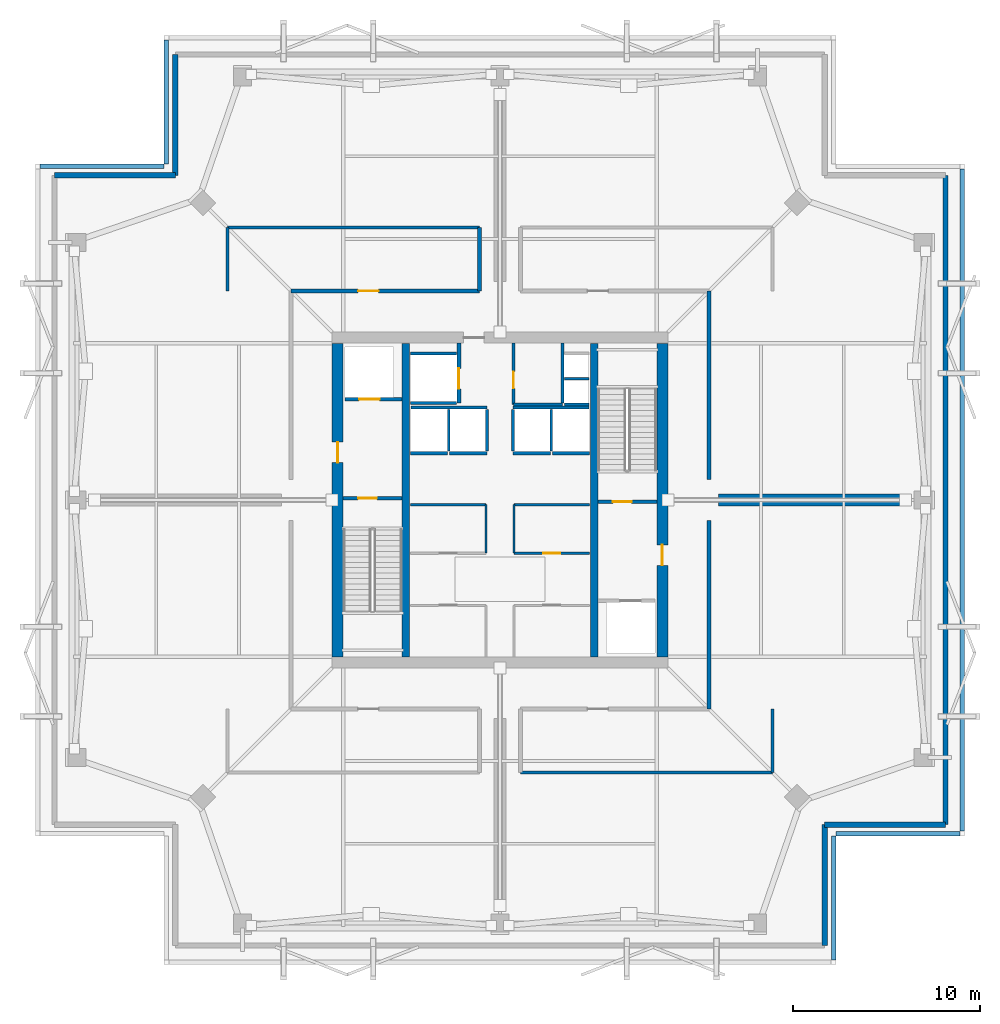
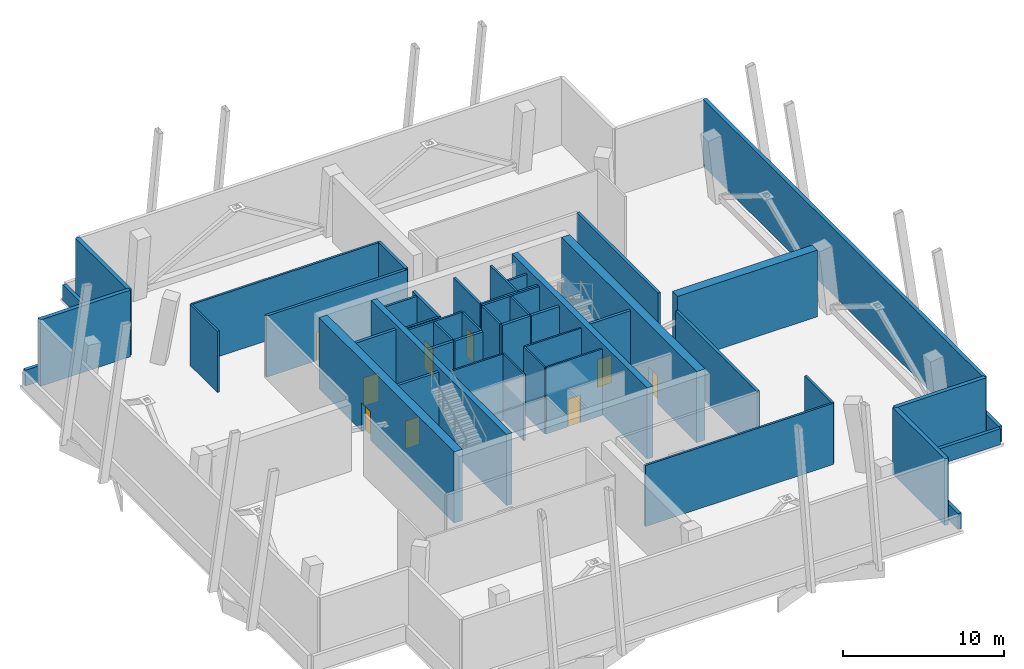
# One storey, part 4 of 6: 49 walls, 9 doors, 9 openings.
"""IFC4 building model written with IfcOpenShell, lengths in metres."""

from ifc_helpers import new_model, si_unit, direction, frame, frame_2d, origin, place, context, subcontext, project, spatial, rectangle, extrude, material, layer, layer_set, type_object, element, fill, save


model = new_model("IFC4")

# Units and contexts
model_context = context("Model", 3, precision=1e-05, world=origin(), true_north=direction((0.0, 1.0)))
body_context = subcontext(model_context, "Body", "Model", "MODEL_VIEW")
ifc_project = project(units=[si_unit("LENGTHUNIT", "METRE"), si_unit("AREAUNIT", "SQUARE_METRE"), si_unit("VOLUMEUNIT", "CUBIC_METRE"), si_unit("PLANEANGLEUNIT", "RADIAN"), si_unit("MASSUNIT", "GRAM", prefix="KILO")], contexts=[model_context])

# Site, building, storey
site_placement = place(None, origin())
site = spatial("IfcSite", under=ifc_project, at=site_placement, CompositionType="ELEMENT")
building_placement = place(site_placement, origin())
building = spatial("IfcBuilding", under=site, at=building_placement, Name="Belovzor Exchange Tower", CompositionType="ELEMENT")
storey_placement = place(building_placement, frame((0.0, 0.0, 284.10009765625)))
storey = spatial("IfcBuildingStorey", under=building, at=storey_placement, Name="L71", CompositionType="ELEMENT", Elevation=284.10009765625)

# Walls
ifc_material_1 = material(Name="Fire-Rated Plasterboard on Galvanised Studs", Category="gypsum")
ifc_layer_1 = layer(ifc_material_1, 0.1201171875)
ifc_layer_set_1 = layer_set([ifc_layer_1], Name="Fire-Rated Plasterboard on Galvanised Studs")
wall_type_1 = type_object("IfcWallType", Name="Fire-Rated Double-Stud Partition Wall 120", PredefinedType="PARTITIONING", material=ifc_layer_set_1)
wall_1_placement = place(storey_placement, frame((24.0, 28.550048828125, 0.0), z_axis=(0.0, 0.0, 1.0), x_axis=(1.0, 0.0, 0.0)))
element("IfcWall", 1, at=wall_1_placement, inside=storey, type_object=wall_type_1, Name="W-P120F Partition Wall W-CRM-L71-WN", PredefinedType="PARTITIONING", context=body_context, shape_type="SweptSolid", body=[
    extrude(rectangle(XDim=4.050048828125, YDim=0.1201171875, at=frame_2d((2.02490234375, 0.0))), origin(), (0.0, 0.0, 1.0), 5.0498046875),
])
wall_2_placement = place(storey_placement, frame((28.050048828125, 25.949951171875, 0.0), z_axis=(0.0, 0.0, 1.0), x_axis=(0.0, 1.0, 0.0)))
element("IfcWall", 2, at=wall_2_placement, inside=storey, type_object=wall_type_1, Name="W-P120F Partition Wall W-CRM-L71-WE", PredefinedType="PARTITIONING", context=body_context, shape_type="SweptSolid", body=[
    extrude(rectangle(XDim=2.60009765625, YDim=0.1201171875, at=frame_2d((1.300048828125, 0.0))), origin(), (0.0, 0.0, 1.0), 5.0498046875),
])

# Wall, opening, door
wall_3_placement = place(storey_placement, frame((29.550048828125, 25.949951171875, 0.0), z_axis=(0.0, 0.0, 1.0), x_axis=(1.0, 0.0, 0.0)))
wall_3 = element("IfcWall", 3, at=wall_3_placement, inside=storey, type_object=wall_type_1, Name="W-P120F Partition Wall W-CRM-L71-ES", PredefinedType="PARTITIONING", context=body_context, shape_type="SweptSolid", body=[
    extrude(rectangle(XDim=4.050048828125, YDim=0.1201171875, at=frame_2d((2.02490234375, 0.0))), origin(), (0.0, 0.0, 1.0), 5.0498046875),
])
opening_1_placement = place(wall_3_placement, frame((1.574951171875, 0.0, 0.0)))
opening_1 = element("IfcOpeningElement", 4, at=opening_1_placement, cuts=wall_3, Name="Opening D-FD60-090", PredefinedType="OPENING", context=body_context, shape_type="SweptSolid", body=[
    extrude(rectangle(XDim=0.89990234375, YDim=2.10009765625, at=frame_2d((0.449951171875, 1.050048828125))), frame((0.0, 0.070068359375, 0.0), z_axis=(0.0, -1.0, 0.0), x_axis=(1.0, 0.0, 0.0)), (0.0, 0.0, 1.0), 0.14013671875),
])
ifc_material_2 = material(Name="Acoustic Timber Fire Leaf", Category="wood")
door_type_1 = type_object("IfcDoorType", Name="Core Service & Restroom Fire Door 900x2100", OperationType="NOTDEFINED", PredefinedType="DOOR", material=ifc_material_2)
door_1_placement = place(opening_1_placement, origin())
door_1 = element("IfcDoor", 5, at=door_1_placement, inside=storey, type_object=door_type_1, Name="D-FD60-090 Core Service & Restroom Fire Door 900x2100", OperationType="SINGLE_SWING_RIGHT", OverallHeight=2.10009765625, OverallWidth=0.89990234375, PredefinedType="DOOR", context=body_context, shape_type="SweptSolid", body=[
    extrude(rectangle(XDim=0.89990234375, YDim=2.10009765625, at=frame_2d((0.449951171875, 1.050048828125))), frame((0.0, 0.02490234375, 0.0), z_axis=(0.0, -1.0, 0.0), x_axis=(1.0, 0.0, 0.0)), (0.0, 0.0, 1.0), 0.050048828125),
])
fill(opening_1, door_1)

# Walls
wall_4_placement = place(storey_placement, frame((29.550048828125, 28.550048828125, 0.0), z_axis=(0.0, 0.0, 1.0), x_axis=(1.0, 0.0, 0.0)))
element("IfcWall", 6, at=wall_4_placement, inside=storey, type_object=wall_type_1, Name="W-P120F Partition Wall W-CRM-L71-EN", PredefinedType="PARTITIONING", context=body_context, shape_type="SweptSolid", body=[
    extrude(rectangle(XDim=4.050048828125, YDim=0.1201171875, at=frame_2d((2.02490234375, 0.0))), origin(), (0.0, 0.0, 1.0), 5.0498046875),
])
wall_5_placement = place(storey_placement, frame((29.550048828125, 25.949951171875, 0.0), z_axis=(0.0, 0.0, 1.0), x_axis=(0.0, 1.0, 0.0)))
element("IfcWall", 7, at=wall_5_placement, inside=storey, type_object=wall_type_1, Name="W-P120F Partition Wall W-CRM-L71-EW", PredefinedType="PARTITIONING", context=body_context, shape_type="SweptSolid", body=[
    extrude(rectangle(XDim=2.60009765625, YDim=0.1201171875, at=frame_2d((1.300048828125, 0.0))), origin(), (0.0, 0.0, 1.0), 5.0498046875),
])

# Wall, opening, door
ifc_material_3 = material(Name="Fire-Rated Gypsum Block and Mineral Wool", Category="gypsum")
ifc_layer_2 = layer(ifc_material_3, 0.14990234375)
ifc_layer_set_2 = layer_set([ifc_layer_2], Name="Fire-Rated Gypsum Block and Mineral Wool")
wall_type_2 = type_object("IfcWallType", Name="Fire-Rated Gypsum Block Corridor Wall 150", PredefinedType="PARTITIONING", material=ifc_layer_set_2)
wall_6_placement = place(storey_placement, frame((29.52490234375, 33.925048828125, 0.0), z_axis=(0.0, 0.0, 1.0), x_axis=(0.0, 1.0, 0.0)))
wall_6 = element("IfcWall", 8, at=wall_6_placement, inside=storey, type_object=wall_type_2, Name="W-P150 Partition Wall W-CRV-L71-W", PredefinedType="PARTITIONING", context=body_context, shape_type="SweptSolid", body=[
    extrude(rectangle(XDim=3.27490234375, YDim=0.14990234375, at=frame_2d((1.637451171875, 0.0))), origin(), (0.0, 0.0, 1.0), 5.0498046875),
])
opening_2_placement = place(wall_6_placement, frame((0.85009765625, 0.0, 0.0)))
opening_2 = element("IfcOpeningElement", 9, at=opening_2_placement, cuts=wall_6, Name="Opening D-FD60-090", PredefinedType="OPENING", context=body_context, shape_type="SweptSolid", body=[
    extrude(rectangle(XDim=0.89990234375, YDim=2.10009765625, at=frame_2d((0.449951171875, 1.050048828125))), frame((0.0, 0.0849609375, 0.0), z_axis=(0.0, -1.0, 0.0), x_axis=(1.0, 0.0, 0.0)), (0.0, 0.0, 1.0), 0.169921875),
])
door_2_placement = place(opening_2_placement, origin())
door_2 = element("IfcDoor", 10, at=door_2_placement, inside=storey, type_object=door_type_1, Name="D-FD60-090 Core Service & Restroom Fire Door 900x2100", OperationType="SINGLE_SWING_LEFT", OverallHeight=2.10009765625, OverallWidth=0.89990234375, PredefinedType="DOOR", context=body_context, shape_type="SweptSolid", body=[
    extrude(rectangle(XDim=0.89990234375, YDim=2.10009765625, at=frame_2d((0.449951171875, 1.050048828125))), frame((0.0, 0.02490234375, 0.0), z_axis=(0.0, -1.0, 0.0), x_axis=(1.0, 0.0, 0.0)), (0.0, 0.0, 1.0), 0.050048828125),
])
fill(opening_2, door_2)

# Walls
wall_7_placement = place(storey_placement, frame((29.52490234375, 33.925048828125, 0.0), z_axis=(0.0, 0.0, 1.0), x_axis=(1.0, 0.0, 0.0)))
element("IfcWall", 11, at=wall_7_placement, inside=storey, type_object=wall_type_2, Name="W-P150 Partition Wall W-CRV-L71-S", PredefinedType="PARTITIONING", context=body_context, shape_type="SweptSolid", body=[
    extrude(rectangle(XDim=2.625, YDim=0.14990234375, at=frame_2d((1.3125, 0.0))), origin(), (0.0, 0.0, 1.0), 5.0498046875),
])
wall_8_placement = place(storey_placement, frame((29.89990234375, 14.199951171875, 0.0), z_axis=(0.0, 0.0, 1.0), x_axis=(1.0, 0.0, 0.0)))
element("IfcWall", 12, at=wall_8_placement, inside=storey, type_object=wall_type_2, Name="W-P150 Partition Wall W-L71-Q2S", PredefinedType="PARTITIONING", context=body_context, shape_type="SweptSolid", body=[
    extrude(rectangle(XDim=13.5, YDim=0.14990234375, at=frame_2d((6.75, 0.0))), origin(), (0.0, 0.0, 1.0), 4.635009765625),
])
wall_9_placement = place(storey_placement, frame((43.39990234375, 14.199951171875, 0.0), z_axis=(0.0, 0.0, 1.0), x_axis=(0.0, 1.0, 0.0)))
element("IfcWall", 13, at=wall_9_placement, inside=storey, type_object=wall_type_2, Name="W-P150 Partition Wall W-L71-Q2E", PredefinedType="PARTITIONING", context=body_context, shape_type="SweptSolid", body=[
    extrude(rectangle(XDim=3.400146484375, YDim=0.14990234375, at=frame_2d((1.7001953125, 0.0))), origin(), (0.0, 0.0, 1.0), 4.635009765625),
])
wall_10_placement = place(storey_placement, frame((14.199951171875, 40.0, 0.0), z_axis=(0.0, 0.0, 1.0), x_axis=(0.0, 1.0, 0.0)))
element("IfcWall", 14, at=wall_10_placement, inside=storey, type_object=wall_type_2, Name="W-P150 Partition Wall W-L71-Q3W", PredefinedType="PARTITIONING", context=body_context, shape_type="SweptSolid", body=[
    extrude(rectangle(XDim=3.39990234375, YDim=0.14990234375, at=frame_2d((1.699951171875, 0.0))), origin(), (0.0, 0.0, 1.0), 4.635009765625),
])
wall_11_placement = place(storey_placement, frame((14.199951171875, 43.39990234375, 0.0), z_axis=(0.0, 0.0, 1.0), x_axis=(1.0, 0.0, 0.0)))
element("IfcWall", 15, at=wall_11_placement, inside=storey, type_object=wall_type_2, Name="W-P150 Partition Wall W-L71-Q3N", PredefinedType="PARTITIONING", context=body_context, shape_type="SweptSolid", body=[
    extrude(rectangle(XDim=13.5, YDim=0.14990234375, at=frame_2d((6.75, 0.0))), origin(), (0.0, 0.0, 1.0), 4.635009765625),
])
ifc_material_4 = material(Name="Precast concrete C40/50", Category="concrete")
ifc_layer_3 = layer(ifc_material_4, 0.280029296875)
ifc_layer_set_3 = layer_set([ifc_layer_3], Name="Precast concrete C40/50")
wall_type_3 = type_object("IfcWallType", Name="Precast Concrete Notched Corner Frame Wall 280", PredefinedType="SOLIDWALL", material=ifc_layer_set_3)
for number, where, z_axis, x_axis, name in (
    (16, (4.929931640625, 46.199951171875, 0.0), (0.0, 0.0, 1.0), (1.0, 0.0, 0.0), "W-CRN280 Precast Concrete Notched Corner Frame Wall 280 L71"),
    (17, (11.39990234375, 46.199951171875, 0.0), (0.0, 0.0, 1.0), (0.0, 1.0, 0.0), "W-CRN280 Precast Concrete Notched Corner Frame Wall 280 L71"),
    (18, (52.669921875, 11.39990234375, 0.0), (0.0, 0.0, 1.0), (-1.0, 0.0, 0.0), "W-CRN280 Precast Concrete Notched Corner Frame Wall 280 L71"),
    (19, (46.199951171875, 11.39990234375, 0.0), (0.0, 0.0, 1.0), (0.0, -1.0, 0.0), "W-CRN280 Precast Concrete Notched Corner Frame Wall 280 L71"),
):
    element("IfcWall", number, at=place(storey_placement, frame(where, z_axis=z_axis, x_axis=x_axis)), inside=storey, type_object=wall_type_3, Name=name, PredefinedType="SOLIDWALL", context=body_context, shape_type="SweptSolid", body=[
        extrude(rectangle(XDim=6.469970703125, YDim=0.280029296875, at=frame_2d((3.23486328125, 0.0))), origin(), (0.0, 0.0, 1.0), 5.0498046875),
    ])
ifc_material_5 = material(Name="Precast concrete C40/50", Category="concrete")
ifc_layer_4 = layer(ifc_material_5, 0.260009765625)
ifc_layer_set_4 = layer_set([ifc_layer_4], Name="Precast concrete C40/50")
wall_type_4 = type_object("IfcWallType", Name="Precast Concrete Perimeter Loggia Frame Wall 260", PredefinedType="SOLIDWALL", material=ifc_layer_set_4)
wall_12_placement = place(storey_placement, frame((52.669921875, 46.199951171875, 0.0), z_axis=(0.0, 0.0, 1.0), x_axis=(0.0, -1.0, 0.0)))
element("IfcWall", 20, at=wall_12_placement, inside=storey, type_object=wall_type_4, Name="W-EXT260 Precast Concrete Perimeter Loggia Frame Wall 260 L71", PredefinedType="SOLIDWALL", context=body_context, shape_type="SweptSolid", body=[
    extrude(rectangle(XDim=34.800048828125, YDim=0.260009765625, at=frame_2d((17.39990234375, 0.0))), origin(), (0.0, 0.0, 1.0), 5.0498046875),
])
ifc_material_6 = material(Name="Precast concrete C40/50", Category="concrete")
ifc_layer_5 = layer(ifc_material_6, 0.239990234375)
ifc_layer_set_5 = layer_set([ifc_layer_5], Name="Precast concrete C40/50")
wall_type_5 = type_object("IfcWallType", Name="Precast Stone Setback Roof Parapet Wall 240", PredefinedType="PARAPET", material=ifc_layer_set_5)
wall_13_placement = place(storey_placement, frame((46.679931640625, 4.155029296875, 0.0), z_axis=(0.0, 0.0, 1.0), x_axis=(0.0, 1.0, 0.0)))
element("IfcWall", 21, at=wall_13_placement, inside=storey, type_object=wall_type_5, Name="W-PAR240 Precast Stone Setback Roof Parapet Wall 240 L71", PredefinedType="PARAPET", context=body_context, shape_type="SweptSolid", body=[
    extrude(rectangle(XDim=6.6298828125, YDim=0.239990234375, at=frame_2d((3.31494140625, 0.0))), origin(), (0.0, 0.0, 1.0), 1.199951171875),
])
wall_14_placement = place(storey_placement, frame((46.81494140625, 10.919921875, 0.0), z_axis=(0.0, 0.0, 1.0), x_axis=(1.0, 0.0, 0.0)))
element("IfcWall", 22, at=wall_14_placement, inside=storey, type_object=wall_type_5, Name="W-PAR240 Precast Stone Setback Roof Parapet Wall 240 L71", PredefinedType="PARAPET", context=body_context, shape_type="SweptSolid", body=[
    extrude(rectangle(XDim=6.630126953125, YDim=0.239990234375, at=frame_2d((3.31494140625, 0.0))), origin(), (0.0, 0.0, 1.0), 1.199951171875),
])
wall_15_placement = place(storey_placement, frame((53.580078125, 11.054931640625, 0.0), z_axis=(0.0, 0.0, 1.0), x_axis=(0.0, 1.0, 0.0)))
element("IfcWall", 23, at=wall_15_placement, inside=storey, type_object=wall_type_5, Name="W-PAR240 Precast Stone Setback Roof Parapet Wall 240 L71", PredefinedType="PARAPET", context=body_context, shape_type="SweptSolid", body=[
    extrude(rectangle(XDim=35.489990234375, YDim=0.239990234375, at=frame_2d((17.7451171875, 0.0))), origin(), (0.0, 0.0, 1.0), 1.199951171875),
])
wall_16_placement = place(storey_placement, frame((10.919921875, 53.445068359375, 0.0), z_axis=(0.0, 0.0, 1.0), x_axis=(0.0, -1.0, 0.0)))
element("IfcWall", 24, at=wall_16_placement, inside=storey, type_object=wall_type_5, Name="W-PAR240 Precast Stone Setback Roof Parapet Wall 240 L71", PredefinedType="PARAPET", context=body_context, shape_type="SweptSolid", body=[
    extrude(rectangle(XDim=6.630126953125, YDim=0.239990234375, at=frame_2d((3.31494140625, 0.0))), origin(), (0.0, 0.0, 1.0), 1.199951171875),
])
wall_17_placement = place(storey_placement, frame((10.784912109375, 46.679931640625, 0.0), z_axis=(0.0, 0.0, 1.0), x_axis=(-1.0, 0.0, 0.0)))
element("IfcWall", 25, at=wall_17_placement, inside=storey, type_object=wall_type_5, Name="W-PAR240 Precast Stone Setback Roof Parapet Wall 240 L71", PredefinedType="PARAPET", context=body_context, shape_type="SweptSolid", body=[
    extrude(rectangle(XDim=6.6298828125, YDim=0.239990234375, at=frame_2d((3.31494140625, 0.0))), origin(), (0.0, 0.0, 1.0), 1.199951171875),
])

# Wall, opening, door
ifc_material_7 = material(Name="Concrete C40/50", Category="concrete")
ifc_layer_6 = layer(ifc_material_7, 0.199951171875)
ifc_layer_set_6 = layer_set([ifc_layer_6], Name="Concrete C40/50")
wall_type_6 = type_object("IfcWallType", Name="Reinforced Concrete Compartment Wall 200", PredefinedType="PARTITIONING", material=ifc_layer_set_6)
wall_18_placement = place(storey_placement, frame((17.60009765625, 40.0, 0.0), z_axis=(0.0, 0.0, 1.0), x_axis=(1.0, 0.0, 0.0)))
wall_18 = element("IfcWall", 26, at=wall_18_placement, inside=storey, type_object=wall_type_6, Name="W-C200 Partition Wall W-L71-PCN", PredefinedType="PARTITIONING", context=body_context, shape_type="SweptSolid", body=[
    extrude(rectangle(XDim=10.099853515625, YDim=0.199951171875, at=frame_2d((5.0498046875, 0.0))), origin(), (0.0, 0.0, 1.0), 4.635009765625),
])
opening_3_placement = place(wall_18_placement, frame((3.60009765625, 0.0, 0.0)))
opening_3 = element("IfcOpeningElement", 27, at=opening_3_placement, cuts=wall_18, Name="Opening D-FD90-110", PredefinedType="OPENING", context=body_context, shape_type="SweptSolid", body=[
    extrude(rectangle(XDim=1.10009765625, YDim=2.14990234375, at=frame_2d((0.550048828125, 1.074951171875))), frame((0.0, 0.10986328125, 0.0), z_axis=(0.0, -1.0, 0.0), x_axis=(1.0, 0.0, 0.0)), (0.0, 0.0, 1.0), 0.219970703125),
])
ifc_material_8 = material(Name="Fire-Rated Galvanised Steel Leaf", Category="steel")
door_type_2 = type_object("IfcDoorType", Name="Protected Escape Vestibule Fire Door 1100x2150", OperationType="NOTDEFINED", PredefinedType="DOOR", material=ifc_material_8)
door_3_placement = place(opening_3_placement, origin())
door_3 = element("IfcDoor", 28, at=door_3_placement, inside=storey, type_object=door_type_2, Name="D-FD90-110 Protected Escape Vestibule Fire Door 1100x2150", OperationType="SINGLE_SWING_LEFT", OverallHeight=2.14990234375, OverallWidth=1.10009765625, PredefinedType="DOOR", context=body_context, shape_type="SweptSolid", body=[
    extrude(rectangle(XDim=1.10009765625, YDim=2.14990234375, at=frame_2d((0.550048828125, 1.074951171875))), frame((0.0, 0.02490234375, 0.0), z_axis=(0.0, -1.0, 0.0), x_axis=(1.0, 0.0, 0.0)), (0.0, 0.0, 1.0), 0.050048828125),
])
fill(opening_3, door_3)

# Walls
wall_19_placement = place(storey_placement, frame((40.0, 17.60009765625, 0.0), z_axis=(0.0, 0.0, 1.0), x_axis=(0.0, 1.0, 0.0)))
element("IfcWall", 29, at=wall_19_placement, inside=storey, type_object=wall_type_6, Name="W-C200 Partition Wall W-L71-PCE1", PredefinedType="PARTITIONING", context=body_context, shape_type="SweptSolid", body=[
    extrude(rectangle(XDim=10.099853515625, YDim=0.199951171875, at=frame_2d((5.0498046875, 0.0))), origin(), (0.0, 0.0, 1.0), 4.635009765625),
])
wall_20_placement = place(storey_placement, frame((40.0, 29.89990234375, 0.0), z_axis=(0.0, 0.0, 1.0), x_axis=(0.0, 1.0, 0.0)))
element("IfcWall", 30, at=wall_20_placement, inside=storey, type_object=wall_type_6, Name="W-C200 Partition Wall W-L71-PCE2", PredefinedType="PARTITIONING", context=body_context, shape_type="SweptSolid", body=[
    extrude(rectangle(XDim=10.10009765625, YDim=0.199951171875, at=frame_2d((5.050048828125, 0.0))), origin(), (0.0, 0.0, 1.0), 4.635009765625),
])
wall_21_placement = place(storey_placement, frame((27.699951171875, 40.0, 0.0), z_axis=(0.0, 0.0, 1.0), x_axis=(0.0, 1.0, 0.0)))
element("IfcWall", 31, at=wall_21_placement, inside=storey, type_object=wall_type_6, Name="W-C200 Partition Wall W-L71-Q3E", PredefinedType="PARTITIONING", context=body_context, shape_type="SweptSolid", body=[
    extrude(rectangle(XDim=3.39990234375, YDim=0.199951171875, at=frame_2d((1.699951171875, 0.0))), origin(), (0.0, 0.0, 1.0), 4.6748046875),
])
ifc_material_9 = material(Name="Concrete C50/60", Category="concrete")
ifc_layer_7 = layer(ifc_material_9, 0.39990234375)
ifc_layer_set_7 = layer_set([ifc_layer_7], Name="Concrete C50/60")
wall_type_7 = type_object("IfcWallType", Name="Reinforced Concrete Core Internal Web Wall 400", PredefinedType="SHEAR", material=ifc_layer_set_7)
for number, where, z_axis, x_axis, name in (
    (32, (23.75, 20.39990234375, 0.0), (0.0, 0.0, 1.0), (0.0, 1.0, 0.0), "CW-W040 Core Internal Web Wall L71 WL"),
    (33, (33.85009765625, 20.39990234375, 0.0), (0.0, 0.0, 1.0), (0.0, 1.0, 0.0), "CW-W040 Core Internal Web Wall L71 ER"),
):
    element("IfcWall", number, at=place(storey_placement, frame(where, z_axis=z_axis, x_axis=x_axis)), inside=storey, type_object=wall_type_7, Name=name, PredefinedType="SHEAR", context=body_context, shape_type="SweptSolid", body=[
        extrude(rectangle(XDim=16.800048828125, YDim=0.39990234375, at=frame_2d((8.39990234375, 0.0))), origin(), (0.0, 0.0, 1.0), 5.39990234375),
    ])
ifc_material_10 = material(Name="Concrete C50/60", Category="concrete")
ifc_layer_8 = layer(ifc_material_10, 0.14990234375)
ifc_layer_set_8 = layer_set([ifc_layer_8], Name="Concrete C50/60")
wall_type_8 = type_object("IfcWallType", Name="Reinforced Concrete Core Riser Shear Wall 150", PredefinedType="SHEAR", material=ifc_layer_set_8)
wall_22_placement = place(storey_placement, frame((32.14990234375, 34.0, 0.0), z_axis=(0.0, 0.0, 1.0), x_axis=(0.0, 1.0, 0.0)))
element("IfcWall", 34, at=wall_22_placement, inside=storey, type_object=wall_type_8, Name="W-C150S Core Shaft Wall W-RSR-L71-E", PredefinedType="SHEAR", context=body_context, shape_type="SweptSolid", body=[
    extrude(rectangle(XDim=3.199951171875, YDim=0.14990234375, at=frame_2d((1.60009765625, 0.0))), origin(), (0.0, 0.0, 1.0), 5.0498046875),
])
for number, where, z_axis, x_axis, name in (
    (35, (32.25, 33.925048828125, 0.0), (0.0, 0.0, 1.0), (1.0, 0.0, 0.0), "W-C150S Core Shaft Wall W-RSR-L71-S"),
    (36, (32.25, 35.300048828125, 0.0), (0.0, 0.0, 1.0), (1.0, 0.0, 0.0), "W-C150S Core Shaft Wall W-RSR-L71-M"),
):
    element("IfcWall", number, at=place(storey_placement, frame(where, z_axis=z_axis, x_axis=x_axis)), inside=storey, type_object=wall_type_8, Name=name, PredefinedType="SHEAR", context=body_context, shape_type="SweptSolid", body=[
        extrude(rectangle(XDim=1.330078125, YDim=0.14990234375, at=frame_2d((0.6650390625, 0.0))), origin(), (0.0, 0.0, 1.0), 5.0498046875),
    ])
for number, where, z_axis, x_axis, name in (
    (37, (24.0, 34.0, 0.0), (0.0, 0.0, 1.0), (1.0, 0.0, 0.0), "W-C150S Core Shaft Wall W-SH-L71-SL-01S"),
    (38, (24.0, 36.64990234375, 0.0), (0.0, 0.0, 1.0), (1.0, 0.0, 0.0), "W-C150S Core Shaft Wall W-SH-L71-SL-01N"),
):
    element("IfcWall", number, at=place(storey_placement, frame(where, z_axis=z_axis, x_axis=x_axis)), inside=storey, type_object=wall_type_8, Name=name, PredefinedType="SHEAR", context=body_context, shape_type="SweptSolid", body=[
        extrude(rectangle(XDim=2.47998046875, YDim=0.14990234375, at=frame_2d((1.239990234375, 0.0))), origin(), (0.0, 0.0, 1.0), 5.0498046875),
    ])
for number, where, z_axis, x_axis, name in (
    (39, (24.02001953125, 33.760009765625, 0.0), (0.0, 0.0, 1.0), (1.0, 0.0, 0.0), "W-C150S Core Shaft Wall W-SHB-L71-PLH-NW"),
    (40, (29.5, 33.760009765625, 0.0), (0.0, 0.0, 1.0), (1.0, 0.0, 0.0), "W-C150S Core Shaft Wall W-SHB-L71-PLH-NE"),
):
    element("IfcWall", number, at=place(storey_placement, frame(where, z_axis=z_axis, x_axis=x_axis)), inside=storey, type_object=wall_type_8, Name=name, PredefinedType="SHEAR", context=body_context, shape_type="SweptSolid", body=[
        extrude(rectangle(XDim=4.080078125, YDim=0.14990234375, at=frame_2d((2.0400390625, 0.0))), origin(), (0.0, 0.0, 1.0), 5.0498046875),
    ])
for number, where, z_axis, x_axis, name in (
    (41, (26.050048828125, 31.419921875, 0.0), (0.0, 0.0, 1.0), (0.0, 1.0, 0.0), "W-C150S Core Shaft Wall W-SHD-L71-PLH-1"),
    (42, (28.10009765625, 31.419921875, 0.0), (0.0, 0.0, 1.0), (0.0, 1.0, 0.0), "W-C150S Core Shaft Wall W-SHD-L71-PLH-2"),
    (43, (29.5, 31.419921875, 0.0), (0.0, 0.0, 1.0), (0.0, 1.0, 0.0), "W-C150S Core Shaft Wall W-SHD-L71-PLH-3"),
    (44, (31.550048828125, 31.419921875, 0.0), (0.0, 0.0, 1.0), (0.0, 1.0, 0.0), "W-C150S Core Shaft Wall W-SHD-L71-PLH-4"),
):
    element("IfcWall", number, at=place(storey_placement, frame(where, z_axis=z_axis, x_axis=x_axis)), inside=storey, type_object=wall_type_8, Name=name, PredefinedType="SHEAR", context=body_context, shape_type="SweptSolid", body=[
        extrude(rectangle(XDim=2.239990234375, YDim=0.14990234375, at=frame_2d((1.1201171875, 0.0))), origin(), (0.0, 0.0, 1.0), 5.0498046875),
    ])

# Wall, opening, door
ifc_material_11 = material(Name="Concrete C50/60", Category="concrete")
ifc_layer_9 = layer(ifc_material_11, 0.199951171875)
ifc_layer_set_9 = layer_set([ifc_layer_9], Name="Concrete C50/60")
wall_type_9 = type_object("IfcWallType", Name="Reinforced Concrete Core Shaft Shear Wall 200", PredefinedType="SHEAR", material=ifc_layer_set_9)
wall_23_placement = place(storey_placement, frame((20.39990234375, 28.89990234375, 0.0), z_axis=(0.0, 0.0, 1.0), x_axis=(1.0, 0.0, 0.0)))
wall_23 = element("IfcWall", 45, at=wall_23_placement, inside=storey, type_object=wall_type_9, Name="W-C200S Core Shaft Wall W-CORE-L71-FFLW1", PredefinedType="SHEAR", context=body_context, shape_type="SweptSolid", body=[
    extrude(rectangle(XDim=3.150146484375, YDim=0.199951171875, at=frame_2d((1.5751953125, 0.0))), origin(), (0.0, 0.0, 1.0), 5.0498046875),
])
opening_4_placement = place(wall_23_placement, frame((0.800048828125, 0.0, 0.0)))
opening_4 = element("IfcOpeningElement", 46, at=opening_4_placement, cuts=wall_23, Name="Opening D-FD90-100", PredefinedType="OPENING", context=body_context, shape_type="SweptSolid", body=[
    extrude(rectangle(XDim=1.0, YDim=2.10009765625, at=frame_2d((0.5, 1.050048828125))), frame((0.0, 0.10986328125, 0.0), z_axis=(0.0, -1.0, 0.0), x_axis=(1.0, 0.0, 0.0)), (0.0, 0.0, 1.0), 0.219970703125),
])
ifc_material_12 = material(Name="Fire-Rated Galvanised Steel Leaf", Category="steel")
door_type_3 = type_object("IfcDoorType", Name="Protected Stairwell Single Fire Door 1000x2100", OperationType="NOTDEFINED", PredefinedType="DOOR", material=ifc_material_12)
door_4_placement = place(opening_4_placement, origin())
door_4 = element("IfcDoor", 47, at=door_4_placement, inside=storey, type_object=door_type_3, Name="D-FD90-100 Protected Stairwell Single Fire Door 1000x2100", OperationType="SINGLE_SWING_RIGHT", OverallHeight=2.10009765625, OverallWidth=1.0, PredefinedType="DOOR", context=body_context, shape_type="SweptSolid", body=[
    extrude(rectangle(XDim=1.0, YDim=2.10009765625, at=frame_2d((0.5, 1.050048828125))), frame((0.0, 0.02490234375, 0.0), z_axis=(0.0, -1.0, 0.0), x_axis=(1.0, 0.0, 0.0)), (0.0, 0.0, 1.0), 0.050048828125),
])
fill(opening_4, door_4)

wall_24_placement = place(storey_placement, frame((34.050048828125, 28.699951171875, 0.0), z_axis=(0.0, 0.0, 1.0), x_axis=(1.0, 0.0, 0.0)))
wall_24 = element("IfcWall", 48, at=wall_24_placement, inside=storey, type_object=wall_type_9, Name="W-C200S Core Shaft Wall W-CORE-L71-FFLE2", PredefinedType="SHEAR", context=body_context, shape_type="SweptSolid", body=[
    extrude(rectangle(XDim=3.14990234375, YDim=0.199951171875, at=frame_2d((1.574951171875, 0.0))), origin(), (0.0, 0.0, 1.0), 5.0498046875),
])
opening_5_placement = place(wall_24_placement, frame((0.800048828125, 0.0, 0.0)))
opening_5 = element("IfcOpeningElement", 49, at=opening_5_placement, cuts=wall_24, Name="Opening D-FD90-100", PredefinedType="OPENING", context=body_context, shape_type="SweptSolid", body=[
    extrude(rectangle(XDim=1.0, YDim=2.10009765625, at=frame_2d((0.5, 1.050048828125))), frame((0.0, 0.10986328125, 0.0), z_axis=(0.0, -1.0, 0.0), x_axis=(1.0, 0.0, 0.0)), (0.0, 0.0, 1.0), 0.219970703125),
])
door_5_placement = place(opening_5_placement, origin())
door_5 = element("IfcDoor", 50, at=door_5_placement, inside=storey, type_object=door_type_3, Name="D-FD90-100 Protected Stairwell Single Fire Door 1000x2100", OperationType="SINGLE_SWING_LEFT", OverallHeight=2.10009765625, OverallWidth=1.0, PredefinedType="DOOR", context=body_context, shape_type="SweptSolid", body=[
    extrude(rectangle(XDim=1.0, YDim=2.10009765625, at=frame_2d((0.5, 1.050048828125))), frame((0.0, 0.02490234375, 0.0), z_axis=(0.0, -1.0, 0.0), x_axis=(1.0, 0.0, 0.0)), (0.0, 0.0, 1.0), 0.050048828125),
])
fill(opening_5, door_5)

wall_25_placement = place(storey_placement, frame((20.5, 34.199951171875, 0.0), z_axis=(0.0, 0.0, 1.0), x_axis=(1.0, 0.0, 0.0)))
wall_25 = element("IfcWall", 51, at=wall_25_placement, inside=storey, type_object=wall_type_9, Name="W-C200S Core Shaft Wall W-SH-L71-FFL-01", PredefinedType="SHEAR", context=body_context, shape_type="SweptSolid", body=[
    extrude(rectangle(XDim=3.050048828125, YDim=0.199951171875, at=frame_2d((1.52490234375, 0.0))), origin(), (0.0, 0.0, 1.0), 5.0498046875),
])
opening_6_placement = place(wall_25_placement, frame((0.75, 0.0, 0.0)))
opening_6 = element("IfcOpeningElement", 52, at=opening_6_placement, cuts=wall_25, Name="Opening LD-110", PredefinedType="OPENING", context=body_context, shape_type="SweptSolid", body=[
    extrude(rectangle(XDim=1.10009765625, YDim=2.14990234375, at=frame_2d((0.550048828125, 1.074951171875))), frame((0.0, 0.10986328125, 0.0), z_axis=(0.0, -1.0, 0.0), x_axis=(1.0, 0.0, 0.0)), (0.0, 0.0, 1.0), 0.219970703125),
])
ifc_material_13 = material(Name="Stainless Steel Grade 304", Category="steel")
door_type_4 = type_object("IfcDoorType", Name="Automated Stainless Steel Lift Landing Door 1100x2150", OperationType="SLIDING_TO_RIGHT", PredefinedType="DOOR", material=ifc_material_13)
door_6_placement = place(opening_6_placement, origin())
door_6 = element("IfcDoor", 53, at=door_6_placement, inside=storey, type_object=door_type_4, Name="LD-110 Automated Stainless Steel Lift Landing Door 1100x2150", OperationType="SLIDING_TO_RIGHT", OverallHeight=2.14990234375, OverallWidth=1.10009765625, PredefinedType="DOOR", context=body_context, shape_type="SweptSolid", body=[
    extrude(rectangle(XDim=1.10009765625, YDim=2.14990234375, at=frame_2d((0.550048828125, 1.074951171875))), frame((0.0, 0.02490234375, 0.0), z_axis=(0.0, -1.0, 0.0), x_axis=(1.0, 0.0, 0.0)), (0.0, 0.0, 1.0), 0.050048828125),
])
fill(opening_6, door_6)

wall_26_placement = place(storey_placement, frame((26.60009765625, 34.0, 0.0), z_axis=(0.0, 0.0, 1.0), x_axis=(0.0, 1.0, 0.0)))
wall_26 = element("IfcWall", 54, at=wall_26_placement, inside=storey, type_object=wall_type_9, Name="W-C200S Core Shaft Wall W-SH-L71-SL-01", PredefinedType="SHEAR", context=body_context, shape_type="SweptSolid", body=[
    extrude(rectangle(XDim=3.199951171875, YDim=0.199951171875, at=frame_2d((1.60009765625, 0.0))), origin(), (0.0, 0.0, 1.0), 5.0498046875),
])
opening_7_placement = place(wall_26_placement, frame((0.75, 0.0, 0.0)))
opening_7 = element("IfcOpeningElement", 55, at=opening_7_placement, cuts=wall_26, Name="Opening LD-110", PredefinedType="OPENING", context=body_context, shape_type="SweptSolid", body=[
    extrude(rectangle(XDim=1.10009765625, YDim=2.14990234375, at=frame_2d((0.550048828125, 1.074951171875))), frame((0.0, 0.10986328125, 0.0), z_axis=(0.0, -1.0, 0.0), x_axis=(1.0, 0.0, 0.0)), (0.0, 0.0, 1.0), 0.219970703125),
])
door_7_placement = place(opening_7_placement, origin())
door_7 = element("IfcDoor", 56, at=door_7_placement, inside=storey, type_object=door_type_4, Name="LD-110 Automated Stainless Steel Lift Landing Door 1100x2150", OperationType="SLIDING_TO_RIGHT", OverallHeight=2.14990234375, OverallWidth=1.10009765625, PredefinedType="DOOR", context=body_context, shape_type="SweptSolid", body=[
    extrude(rectangle(XDim=1.10009765625, YDim=2.14990234375, at=frame_2d((0.550048828125, 1.074951171875))), frame((0.0, 0.02490234375, 0.0), z_axis=(0.0, -1.0, 0.0), x_axis=(1.0, 0.0, 0.0)), (0.0, 0.0, 1.0), 0.050048828125),
])
fill(opening_7, door_7)

# Walls
for number, where, z_axis, x_axis, name in (
    (57, (24.0, 31.300048828125, 0.0), (0.0, 0.0, 1.0), (1.0, 0.0, 0.0), "W-C200S Core Shaft Wall W-SH-L71-PL-H1"),
    (58, (26.10009765625, 31.300048828125, 0.0), (0.0, 0.0, 1.0), (1.0, 0.0, 0.0), "W-C200S Core Shaft Wall W-SH-L71-PL-H2"),
    (59, (29.5, 31.300048828125, 0.0), (0.0, 0.0, 1.0), (1.0, 0.0, 0.0), "W-C200S Core Shaft Wall W-SH-L71-PL-H3"),
    (60, (31.60009765625, 31.300048828125, 0.0), (0.0, 0.0, 1.0), (1.0, 0.0, 0.0), "W-C200S Core Shaft Wall W-SH-L71-PL-H4"),
):
    element("IfcWall", number, at=place(storey_placement, frame(where, z_axis=z_axis, x_axis=x_axis)), inside=storey, type_object=wall_type_9, Name=name, PredefinedType="SHEAR", context=body_context, shape_type="SweptSolid", body=[
        extrude(rectangle(XDim=2.0, YDim=0.199951171875, at=frame_2d((1.0, 0.0))), origin(), (0.0, 0.0, 1.0), 5.0498046875),
    ])

# Wall, opening, door
ifc_material_14 = material(Name="Concrete C50/60", Category="concrete")
ifc_layer_10 = layer(ifc_material_14, 0.60009765625)
ifc_layer_set_10 = layer_set([ifc_layer_10], Name="Concrete C50/60")
wall_type_10 = type_object("IfcWallType", Name="Reinforced Concrete Core Shear Wall 600", PredefinedType="SHEAR", material=ifc_layer_set_10)
wall_27_placement = place(storey_placement, frame((20.10009765625, 20.39990234375, 0.0), z_axis=(0.0, 0.0, 1.0), x_axis=(0.0, 1.0, 0.0)))
wall_27 = element("IfcWall", 61, at=wall_27_placement, inside=storey, type_object=wall_type_10, Name="CW-S060 Core Shear Wall L71 W", PredefinedType="SHEAR", context=body_context, shape_type="SweptSolid", body=[
    extrude(rectangle(XDim=16.800048828125, YDim=0.60009765625, at=frame_2d((8.39990234375, 0.0))), origin(), (0.0, 0.0, 1.0), 5.39990234375),
])
opening_8_placement = place(wall_27_placement, frame((10.39990234375, 0.0, 0.0)))
opening_8 = element("IfcOpeningElement", 62, at=opening_8_placement, cuts=wall_27, Name="Opening D-FD90-110", PredefinedType="OPENING", context=body_context, shape_type="SweptSolid", body=[
    extrude(rectangle(XDim=1.10009765625, YDim=2.14990234375, at=frame_2d((0.550048828125, 1.074951171875))), frame((0.0, 0.31005859375, 0.0), z_axis=(0.0, -1.0, 0.0), x_axis=(1.0, 0.0, 0.0)), (0.0, 0.0, 1.0), 0.6201171875),
])
door_8_placement = place(opening_8_placement, origin())
door_8 = element("IfcDoor", 63, at=door_8_placement, inside=storey, type_object=door_type_2, Name="D-FD90-110 Protected Escape Vestibule Fire Door 1100x2150", OperationType="SINGLE_SWING_LEFT", OverallHeight=2.14990234375, OverallWidth=1.10009765625, PredefinedType="DOOR", context=body_context, shape_type="SweptSolid", body=[
    extrude(rectangle(XDim=1.10009765625, YDim=2.14990234375, at=frame_2d((0.550048828125, 1.074951171875))), frame((0.0, 0.02490234375, 0.0), z_axis=(0.0, -1.0, 0.0), x_axis=(1.0, 0.0, 0.0)), (0.0, 0.0, 1.0), 0.050048828125),
])
fill(opening_8, door_8)

wall_28_placement = place(storey_placement, frame((37.5, 20.39990234375, 0.0), z_axis=(0.0, 0.0, 1.0), x_axis=(0.0, 1.0, 0.0)))
wall_28 = element("IfcWall", 64, at=wall_28_placement, inside=storey, type_object=wall_type_10, Name="CW-S060 Core Shear Wall L71 E", PredefinedType="SHEAR", context=body_context, shape_type="SweptSolid", body=[
    extrude(rectangle(XDim=16.800048828125, YDim=0.60009765625, at=frame_2d((8.39990234375, 0.0))), origin(), (0.0, 0.0, 1.0), 5.39990234375),
])
opening_9_placement = place(wall_28_placement, frame((4.89990234375, 0.0, 0.0)))
opening_9 = element("IfcOpeningElement", 65, at=opening_9_placement, cuts=wall_28, Name="Opening D-FD90-110", PredefinedType="OPENING", context=body_context, shape_type="SweptSolid", body=[
    extrude(rectangle(XDim=1.10009765625, YDim=2.14990234375, at=frame_2d((0.550048828125, 1.074951171875))), frame((0.0, 0.31005859375, 0.0), z_axis=(0.0, -1.0, 0.0), x_axis=(1.0, 0.0, 0.0)), (0.0, 0.0, 1.0), 0.6201171875),
])
door_9_placement = place(opening_9_placement, origin())
door_9 = element("IfcDoor", 66, at=door_9_placement, inside=storey, type_object=door_type_2, Name="D-FD90-110 Protected Escape Vestibule Fire Door 1100x2150", OperationType="SINGLE_SWING_RIGHT", OverallHeight=2.14990234375, OverallWidth=1.10009765625, PredefinedType="DOOR", context=body_context, shape_type="SweptSolid", body=[
    extrude(rectangle(XDim=1.10009765625, YDim=2.14990234375, at=frame_2d((0.550048828125, 1.074951171875))), frame((0.0, 0.02490234375, 0.0), z_axis=(0.0, -1.0, 0.0), x_axis=(1.0, 0.0, 0.0)), (0.0, 0.0, 1.0), 0.050048828125),
])
fill(opening_9, door_9)

# Wall
ifc_material_15 = material(Name="Concrete C50/60", Category="concrete")
ifc_layer_11 = layer(ifc_material_15, 0.64990234375)
ifc_layer_set_11 = layer_set([ifc_layer_11], Name="Concrete C50/60")
wall_type_11 = type_object("IfcWallType", Name="Reinforced Concrete Outrigger Shear Wall 650", PredefinedType="SHEAR", material=ifc_layer_set_11)
wall_29_placement = place(storey_placement, frame((40.5, 28.800048828125, 0.0), z_axis=(0.0, 0.0, 1.0), x_axis=(1.0, 0.0, 0.0)))
element("IfcWall", 67, at=wall_29_placement, inside=storey, type_object=wall_type_11, Name="OW-065 Outrigger Shear Wall L71 E", PredefinedType="SHEAR", context=body_context, shape_type="SweptSolid", body=[
    extrude(rectangle(XDim=10.02490234375, YDim=0.64990234375, at=frame_2d((5.012451171875, 0.0))), origin(), (0.0, 0.0, 1.0), 5.0498046875),
])

save(model, "model.ifc")
